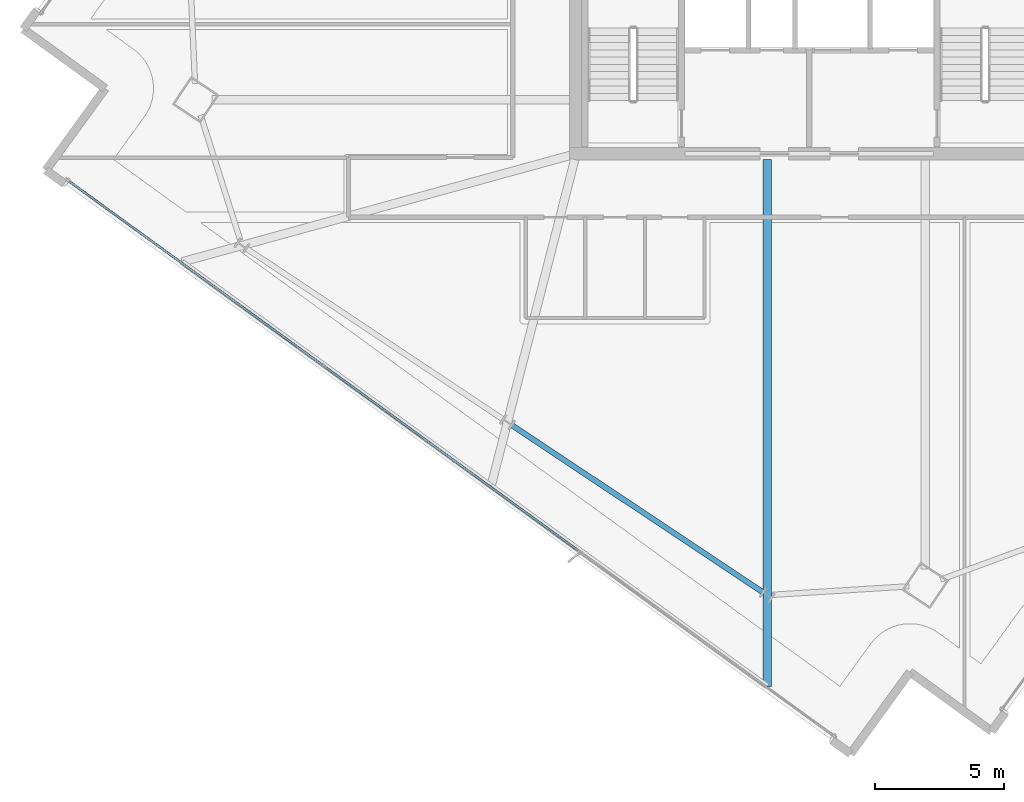
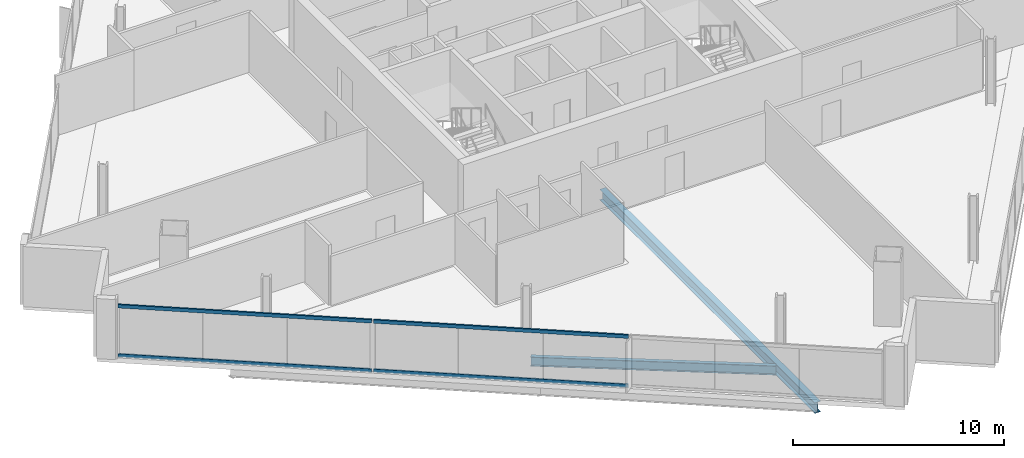
# One storey, part 4 of 29: 4 members, 2 beams, 1 element without a shape of its own.
"""IFC4 building model written with IfcOpenShell, lengths in metres."""

from ifc_helpers import new_model, si_unit, direction, frame, origin, origin_2d, place, context, subcontext, project, spatial, hollow_rectangle, i_section, extrude, material, material_profile, profile_set, type_object, element, aggregate, save


model = new_model("IFC4")

# Units and contexts
model_context = context("Model", 3, precision=1e-05, world=origin(), true_north=direction((0.0, 1.0)))
body_context = subcontext(model_context, "Body", "Model", "MODEL_VIEW")
ifc_project = project(units=[si_unit("LENGTHUNIT", "METRE"), si_unit("AREAUNIT", "SQUARE_METRE"), si_unit("VOLUMEUNIT", "CUBIC_METRE"), si_unit("PLANEANGLEUNIT", "RADIAN"), si_unit("MASSUNIT", "GRAM", prefix="KILO")], contexts=[model_context])

# Site, building, storey
site_placement = place(None, origin())
site = spatial("IfcSite", under=ifc_project, at=site_placement, CompositionType="ELEMENT")
building_placement = place(site_placement, origin())
building = spatial("IfcBuilding", under=site, at=building_placement, Name="Haldenkirk Collegiate Tower", CompositionType="ELEMENT")
storey_placement = place(building_placement, frame((0.0, 0.0, 209.699951171875)))
storey = spatial("IfcBuildingStorey", under=building, at=storey_placement, Name="L52", CompositionType="ELEMENT", Elevation=209.699951171875)

# Beams
ifc_material_1 = material(Name="Steel ASTM A992 Grade 50", Category="steel")
ifc_material_profile_1 = material_profile(ifc_material_1, i_section(OverallWidth=0.324951171875, OverallDepth=0.615966796875, WebThickness=0.013916015625, FlangeThickness=0.021484375, at=origin_2d()), Name="W24X117")
ifc_profile_set_1 = profile_set([ifc_material_profile_1], Name="Steel ASTM A992 Grade 50")
beam_type_1 = type_object("IfcBeamType", Name="BM-GIRDER-W24X117", PredefinedType="BEAM", material=ifc_profile_set_1)
beam_1_placement = place(storey_placement, frame((34.376708984375, -2.568359375, -0.587890625), z_axis=(0.0, 1.0, 0.0), x_axis=(-1.0, 0.0, 0.0)))
element("IfcBeam", 1, at=beam_1_placement, inside=storey, type_object=beam_type_1, Name="L52 primary floor girder 16", PredefinedType="BEAM", context=body_context, shape_type="SweptSolid", body=[
    extrude(i_section(OverallWidth=0.324951171875, OverallDepth=0.615966796875, WebThickness=0.013916015625, FlangeThickness=0.021484375, at=origin_2d()), origin(), (0.0, 0.0, 1.0), 20.33837890625),
])
ifc_material_profile_2 = material_profile(ifc_material_1, i_section(OverallWidth=0.2099609375, OverallDepth=0.537109375, WebThickness=0.010986328125, FlangeThickness=0.017333984375, at=origin_2d()), Name="W21X68")
ifc_profile_set_2 = profile_set([ifc_material_profile_2], Name="Steel ASTM A992 Grade 50")
beam_type_2 = type_object("IfcBeamType", Name="BM-SPANDREL-W21X68", PredefinedType="SPANDREL", material=ifc_profile_set_2)
beam_2_placement = place(storey_placement, frame((24.52392578125, 7.510986328125, -0.54833984375), z_axis=(0.832441238083, -0.554113332395, 0.0), x_axis=(0.554113332395, 0.832441238083, 0.0)))
element("IfcBeam", 2, at=beam_2_placement, inside=storey, type_object=beam_type_2, Name="L52 perimeter spandrel beam 15", PredefinedType="SPANDREL", context=body_context, shape_type="SweptSolid", body=[
    extrude(i_section(OverallWidth=0.2099609375, OverallDepth=0.537109375, WebThickness=0.010986328125, FlangeThickness=0.017333984375, at=origin_2d()), origin(), (0.0, 0.0, 1.0), 11.618896484375),
])

# Curtain wall, members
ifc_material_2 = material(Name="Anodised architectural bronze aluminium", Category="aluminium")
curtain_wall_type = type_object("IfcCurtainWallType", Name="CW-SYS1B-CONVEX-HI", PredefinedType="USERDEFINED", material=ifc_material_2)
curtain_wall_placement = place(storey_placement, origin())
curtain_wall = element("IfcCurtainWall", 3, at=curtain_wall_placement, inside=storey, type_object=curtain_wall_type, Name="L52 Upper tower high-wind convex bronze unitised curtain wall", ObjectType="UNITISED CURTAIN WALL", PredefinedType="USERDEFINED")
ifc_material_profile_3 = material_profile(ifc_material_2, hollow_rectangle(XDim=0.0849609375, YDim=0.199951171875, WallThickness=0.0048828125, at=origin_2d()), Name="CW-TRN-1B")
ifc_profile_set_3 = profile_set([ifc_material_profile_3], Name="Anodised architectural bronze aluminium")
member_type = type_object("IfcMemberType", Name="CW-TRN-1B", PredefinedType="USERDEFINED", material=ifc_profile_set_3)
member_1_placement = place(storey_placement, frame((27.067138671875, 2.68310546875, 0.04248046875), z_axis=(-0.809533584047, 0.587073569751, 0.0), x_axis=(-0.587073569751, -0.809533584047, 0.0)))
member_1 = element("IfcMember", 4, at=member_1_placement, type_object=member_type, Name="CW-1B transom 2.1", ObjectType="TRANSOM", PredefinedType="USERDEFINED", context=body_context, shape_type="SweptSolid", body=[
    extrude(hollow_rectangle(XDim=0.0849609375, YDim=0.199951171875, WallThickness=0.0048828125, at=origin_2d()), origin(), (0.0, 0.0, 1.0), 12.11474609375),
])
member_2_placement = place(storey_placement, frame((27.067138671875, 2.68310546875, 2.885498046875), z_axis=(-0.809533584047, 0.587073569751, 0.0), x_axis=(-0.587073569751, -0.809533584047, 0.0)))
member_2 = element("IfcMember", 5, at=member_2_placement, type_object=member_type, Name="CW-1B transom 2.2", ObjectType="TRANSOM", PredefinedType="USERDEFINED", context=body_context, shape_type="SweptSolid", body=[
    extrude(hollow_rectangle(XDim=0.0849609375, YDim=0.199951171875, WallThickness=0.0048828125, at=origin_2d()), origin(), (0.0, 0.0, 1.0), 12.11474609375),
])
member_3_placement = place(storey_placement, frame((17.19091796875, 9.845458984375, 0.04248046875), z_axis=(-0.809531150807, 0.587076925005, 0.0), x_axis=(-0.587076925005, -0.809531150807, 0.0)))
member_3 = element("IfcMember", 6, at=member_3_placement, type_object=member_type, Name="CW-1B transom 3.1", ObjectType="TRANSOM", PredefinedType="USERDEFINED", context=body_context, shape_type="SweptSolid", body=[
    extrude(hollow_rectangle(XDim=0.0849609375, YDim=0.199951171875, WallThickness=0.0048828125, at=origin_2d()), origin(), (0.0, 0.0, 1.0), 12.072265625),
])
member_4_placement = place(storey_placement, frame((17.19091796875, 9.845458984375, 2.885498046875), z_axis=(-0.809531150807, 0.587076925005, 0.0), x_axis=(-0.587076925005, -0.809531150807, 0.0)))
member_4 = element("IfcMember", 7, at=member_4_placement, type_object=member_type, Name="CW-1B transom 3.2", ObjectType="TRANSOM", PredefinedType="USERDEFINED", context=body_context, shape_type="SweptSolid", body=[
    extrude(hollow_rectangle(XDim=0.0849609375, YDim=0.199951171875, WallThickness=0.0048828125, at=origin_2d()), origin(), (0.0, 0.0, 1.0), 12.072265625),
])
aggregate(curtain_wall, [member_1, member_2, member_3, member_4])

save(model, "model.ifc")
